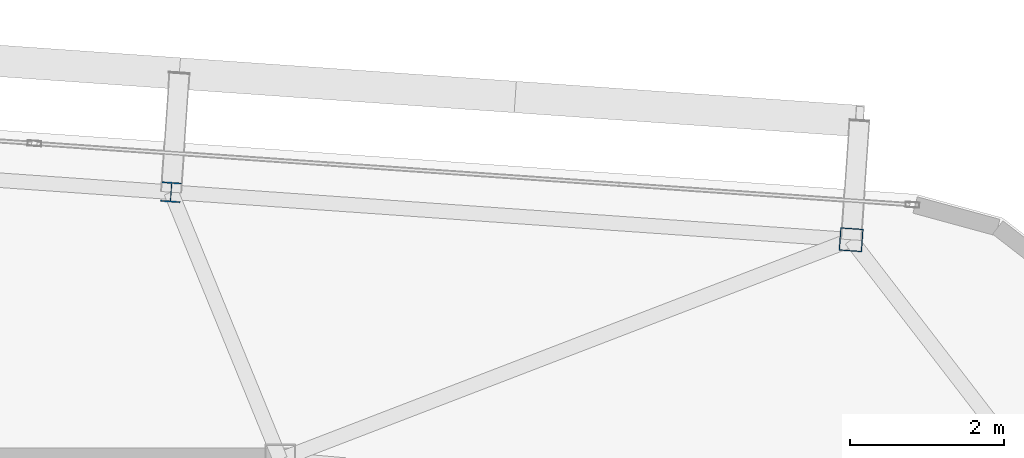
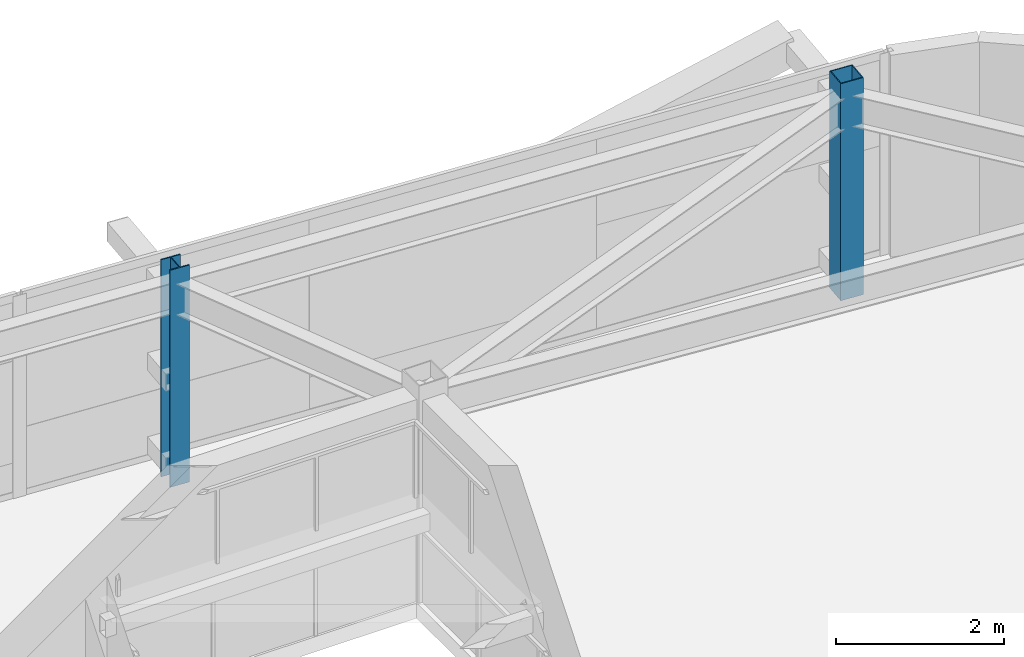
# One storey, part 5 of 39: 2 columns.
"""IFC4 building model written with IfcOpenShell, lengths in metres."""

from ifc_helpers import new_model, si_unit, direction, frame, origin, origin_2d, place, context, subcontext, project, spatial, hollow_rectangle, i_section, extrude, source, transform, mapped, material, material_profile, profile_set, type_object, element, save


model = new_model("IFC4")

# Units and contexts
model_context = context("Model", 3, precision=1e-05, world=origin(), true_north=direction((0.0, 1.0)))
body_context = subcontext(model_context, "Body", "Model", "MODEL_VIEW")
ifc_project = project(units=[si_unit("LENGTHUNIT", "METRE"), si_unit("AREAUNIT", "SQUARE_METRE"), si_unit("VOLUMEUNIT", "CUBIC_METRE"), si_unit("PLANEANGLEUNIT", "RADIAN"), si_unit("MASSUNIT", "GRAM", prefix="KILO")], contexts=[model_context])

# Site, building, storey
site_placement = place(None, origin())
site = spatial("IfcSite", under=ifc_project, at=site_placement, CompositionType="ELEMENT")
building_placement = place(site_placement, origin())
building = spatial("IfcBuilding", under=site, at=building_placement, Name="Taldren Reach Tower", CompositionType="ELEMENT")
storey_placement = place(building_placement, frame((0.0, 0.0, 145.60009765625)))
storey = spatial("IfcBuildingStorey", under=building, at=storey_placement, Name="L44", CompositionType="ELEMENT", Elevation=145.60009765625)

# Columns
ifc_material_1 = material(Name="Steel Gr 450 (C450L0)", Category="steel")
ifc_material_profile_1 = material_profile(ifc_material_1, hollow_rectangle(XDim=0.300048828125, YDim=0.300048828125, WallThickness=0.012451171875, at=origin_2d()), Name="300x300x12.5SHS")
ifc_profile_set_1 = profile_set([ifc_material_profile_1], Name="Steel Gr 450 (C450L0)")
column_type_1 = type_object("IfcColumnType", Name="COL-SHS300", PredefinedType="COLUMN", material=ifc_profile_set_1)
shared_shape_1 = source(origin(), body_context, "Body", "SweptSolid", [
    extrude(hollow_rectangle(XDim=0.300048828125, YDim=0.300048828125, WallThickness=0.012451171875, at=origin_2d()), origin(), (0.0, 0.0, 1.0), 3.14990234375),
])
column_1_placement = place(storey_placement, frame((58.4365234375, 34.861572265625, 0.0), z_axis=(0.0, 0.0, 1.0), x_axis=(0.99756405026, -0.069756473744, 0.0)))
element("IfcColumn", 1, at=column_1_placement, inside=storey, type_object=column_type_1, Name="Block B3 perimeter column N6 L44", PredefinedType="COLUMN", context=body_context, shape_type="MappedRepresentation", body=[
    mapped(shared_shape_1, transform((0.0, 0.0, 0.0), scale=1.0)),
])
ifc_material_2 = material(Name="Steel Gr 350 (350PLUS)", Category="steel")
ifc_material_profile_2 = material_profile(ifc_material_2, i_section(OverallWidth=0.256103515625, OverallDepth=0.260009765625, WebThickness=0.010498046875, FlangeThickness=0.017333984375, at=origin_2d()), Name="250UC89.5")
ifc_profile_set_2 = profile_set([ifc_material_profile_2], Name="Steel Gr 350 (350PLUS)")
column_type_2 = type_object("IfcColumnType", Name="COL-UC250", PredefinedType="COLUMN", material=ifc_profile_set_2)
shared_shape_2 = source(origin(), body_context, "Body", "SweptSolid", [
    extrude(i_section(OverallWidth=0.256103515625, OverallDepth=0.260009765625, WebThickness=0.010498046875, FlangeThickness=0.017333984375, at=origin_2d()), origin(), (0.0, 0.0, 1.0), 3.14990234375),
])
column_2_placement = place(storey_placement, frame((49.578125, 35.48095703125, 0.0), z_axis=(0.0, 0.0, 1.0), x_axis=(0.99756405026, -0.069756473744, 0.0)))
element("IfcColumn", 2, at=column_2_placement, inside=storey, type_object=column_type_2, Name="Block B3 perimeter column N5 L44", PredefinedType="COLUMN", context=body_context, shape_type="MappedRepresentation", body=[
    mapped(shared_shape_2, transform((0.0, 0.0, 0.0), scale=1.0)),
])

save(model, "model.ifc")
